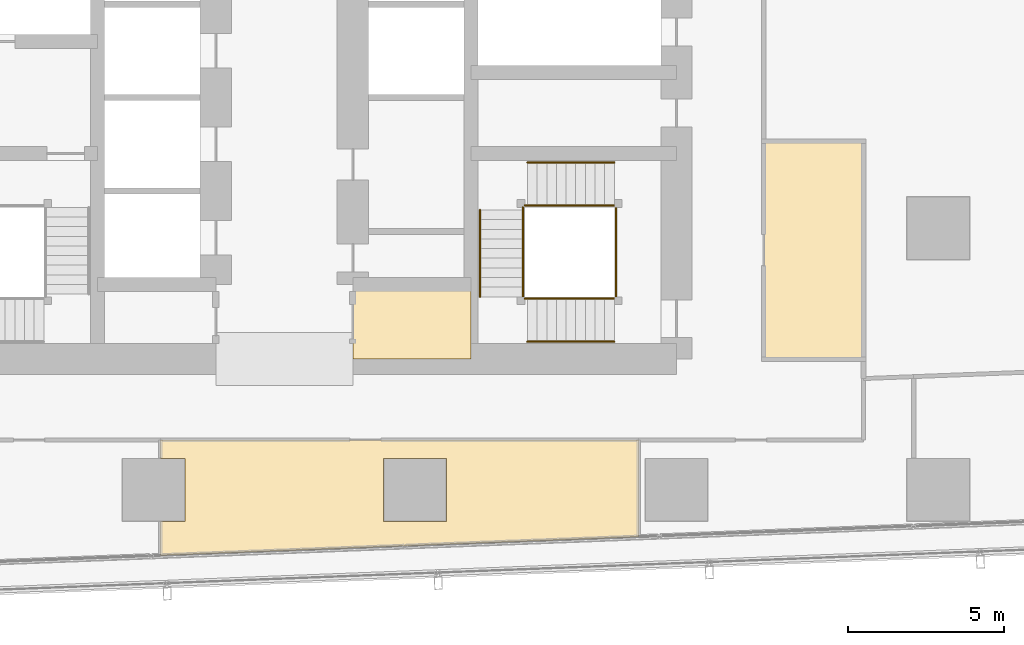
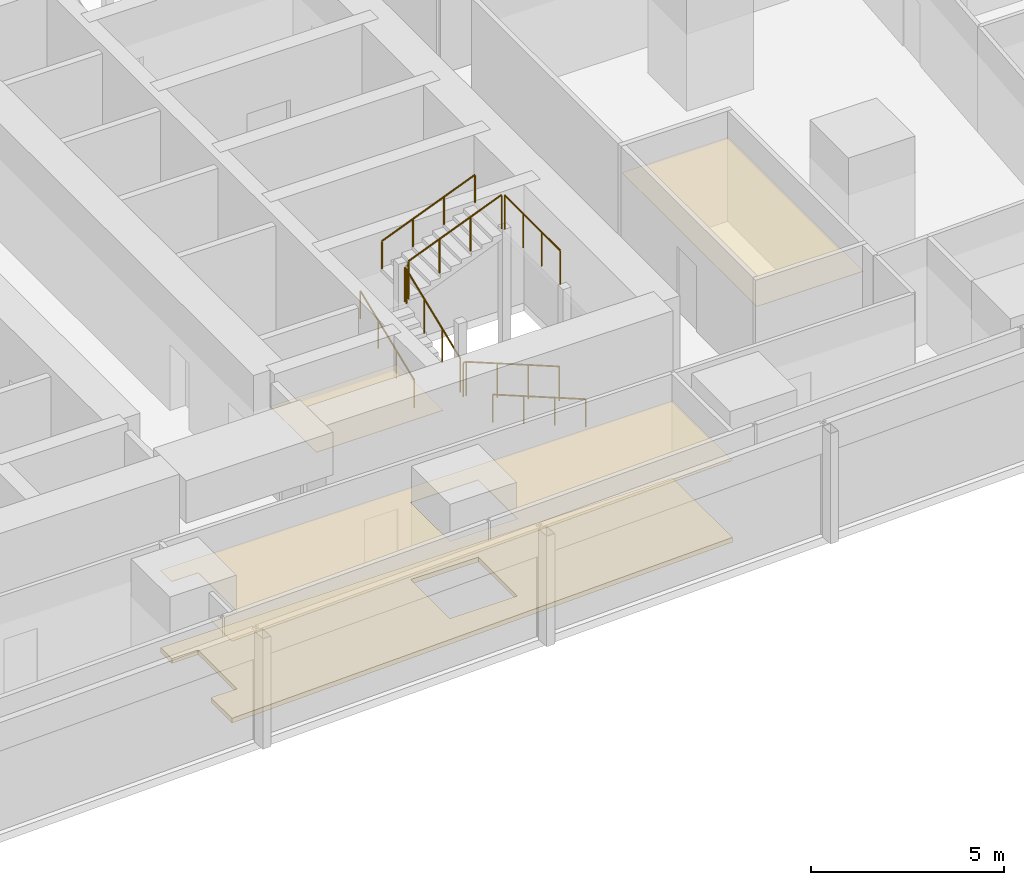
# One storey, part 36 of 39: 10 railings, 4 coverings.
"""IFC4 building model written with IfcOpenShell, lengths in metres."""

from ifc_helpers import new_model, si_unit, direction, frame, origin, origin_2d, place, context, subcontext, project, spatial, polyline, circle, outline, extrude, material, layer, layer_set, type_object, element, save


model = new_model("IFC4")

# Units and contexts
model_context = context("Model", 3, precision=1e-05, world=origin(), true_north=direction((0.0, 1.0)))
body_context = subcontext(model_context, "Body", "Model", "MODEL_VIEW")
ifc_project = project(units=[si_unit("LENGTHUNIT", "METRE"), si_unit("AREAUNIT", "SQUARE_METRE"), si_unit("VOLUMEUNIT", "CUBIC_METRE"), si_unit("PLANEANGLEUNIT", "RADIAN"), si_unit("MASSUNIT", "GRAM", prefix="KILO")], contexts=[model_context])

# Site, building, storey
site_placement = place(None, origin())
site = spatial("IfcSite", under=ifc_project, at=site_placement, CompositionType="ELEMENT")
building_placement = place(site_placement, origin())
building = spatial("IfcBuilding", under=site, at=building_placement, Name="Rekha Terrace Tower", CompositionType="ELEMENT")
storey_placement = place(building_placement, frame((0.0, 0.0, 151.550048828125)))
storey = spatial("IfcBuildingStorey", under=building, at=storey_placement, Name="L38", CompositionType="ELEMENT", Elevation=151.550048828125)

# Coverings
ifc_material_1 = material(Name="Mineral fibre tile in exposed grid", Category="finish")
ifc_layer_1 = layer(ifc_material_1, 0.02001953125)
ifc_layer_set_1 = layer_set([ifc_layer_1], Name="Mineral fibre tile in exposed grid")
covering_type_1 = type_object("IfcCoveringType", Name="CL1 600x1200 office grid ceiling", PredefinedType="CEILING", material=ifc_layer_set_1)
covering_1_placement = place(storey_placement, frame((0.0, 0.0, 2.579833984375)))
element("IfcCovering", 1, at=covering_1_placement, inside=storey, type_object=covering_type_1, Name="Ceiling L38-11", PredefinedType="CEILING", context=body_context, shape_type="SweptSolid", body=[
    extrude(outline(polyline([(34.614990234375, 15.784912109375), (33.825927734375, 15.784912109375), (33.825927734375, 14.69189453125), (40.85302734375, 14.965087890625), (49.178955078125, 15.2890625), (49.178955078125, 18.39990234375), (33.825927734375, 18.39990234375), (33.825927734375, 17.81494140625), (34.614990234375, 17.81494140625), (34.614990234375, 15.784912109375)]), holes=[polyline([(43.014892578125, 17.81494140625), (43.014892578125, 15.784912109375), (40.985107421875, 15.784912109375), (40.985107421875, 17.81494140625), (43.014892578125, 17.81494140625)])]), origin(), (0.0, 0.0, 1.0), 0.02001953125),
])
ifc_material_2 = material(Name="Fibre cement board", Category="finish")
ifc_layer_2 = layer(ifc_material_2, 0.014892578125)
ifc_layer_set_2 = layer_set([ifc_layer_2], Name="Fibre cement board")
covering_type_2 = type_object("IfcCoveringType", Name="CL2 moisture-resistant board ceiling", PredefinedType="CEILING", material=ifc_layer_set_2)
covering_2_placement = place(storey_placement, frame((0.0, 0.0, 2.5849609375)))
element("IfcCovering", 2, at=covering_2_placement, inside=storey, type_object=covering_type_2, Name="Ceiling L38-WCA", PredefinedType="CEILING", context=body_context, shape_type="SweptSolid", body=[
    extrude(outline(polyline([(43.800048828125, 23.39990234375), (40.0, 23.39990234375), (40.0, 21.0), (43.800048828125, 21.0), (43.800048828125, 23.39990234375)])), origin(), (0.0, 0.0, 1.0), 0.014892578125),
])
covering_3_placement = place(storey_placement, frame((0.0, 0.0, 2.5849609375)))
element("IfcCovering", 3, at=covering_3_placement, inside=storey, type_object=covering_type_2, Name="Ceiling L38-WCM2", PredefinedType="CEILING", context=body_context, shape_type="SweptSolid", body=[
    extrude(outline(polyline([(56.39990234375, 28.0), (53.199951171875, 28.0), (53.199951171875, 21.0), (56.39990234375, 21.0), (56.39990234375, 28.0)])), origin(), (0.0, 0.0, 1.0), 0.014892578125),
])

# Railings
ifc_material_3 = material(Name="Stainless steel balustrade", Category="steel")
railing_type_1 = type_object("IfcRailingType", Name="GR1 1100 stair guard", PredefinedType="GUARDRAIL", material=ifc_material_3)
railing_1_placement = place(storey_placement, frame((48.39990234375, 22.93994140625, 0.125)))
element("IfcRailing", 4, at=railing_1_placement, inside=storey, type_object=railing_type_1, Name="Guard ST3 L38 flight 1", PredefinedType="GUARDRAIL", context=body_context, shape_type="SweptSolid", body=[
    extrude(circle(Radius=0.02392578125, at=origin_2d()), frame((0.0, 0.0, 1.076171875), z_axis=(-0.927431937212, 0.0, 0.373991980981), x_axis=(0.0, -1.0, 0.0)), (0.0, 0.0, 1.0), 3.008056640625),
    extrude(circle(Radius=0.02099609375, at=origin_2d()), origin(), (0.0, 0.0, 1.0), 1.052001953125),
    extrude(circle(Radius=0.02099609375, at=origin_2d()), frame((-0.929931640625, 0.0, 0.375)), (0.0, 0.0, 1.0), 1.052001953125),
    extrude(circle(Radius=0.02099609375, at=origin_2d()), frame((-1.85986328125, 0.0, 0.75)), (0.0, 0.0, 1.0), 1.052001953125),
    extrude(circle(Radius=0.02099609375, at=origin_2d()), frame((-2.789794921875, 0.0, 1.125)), (0.0, 0.0, 1.0), 1.052001953125),
])
railing_2_placement = place(storey_placement, frame((45.465087890625, 23.0, 1.375)))
element("IfcRailing", 5, at=railing_2_placement, inside=storey, type_object=railing_type_1, Name="Guard ST3 L38 flight 2", PredefinedType="GUARDRAIL", context=body_context, shape_type="SweptSolid", body=[
    extrude(circle(Radius=0.02392578125, at=origin_2d()), frame((0.0, 0.0, 1.076171875), z_axis=(0.0, 0.927443287984, 0.373963831907), x_axis=(-1.0, 0.0, 0.0)), (0.0, 0.0, 1.0), 3.00830078125),
    extrude(circle(Radius=0.02099609375, at=origin_2d()), origin(), (0.0, 0.0, 1.0), 1.052001953125),
    extrude(circle(Radius=0.02099609375, at=origin_2d()), frame((0.0, 0.929931640625, 0.375)), (0.0, 0.0, 1.0), 1.052001953125),
    extrude(circle(Radius=0.02099609375, at=origin_2d()), frame((0.0, 1.860107421875, 0.75)), (0.0, 0.0, 1.0), 1.052001953125),
    extrude(circle(Radius=0.02099609375, at=origin_2d()), frame((0.0, 2.7900390625, 1.125)), (0.0, 0.0, 1.0), 1.052001953125),
])
railing_3_placement = place(storey_placement, frame((45.610107421875, 25.93505859375, 2.625)))
element("IfcRailing", 6, at=railing_3_placement, inside=storey, type_object=railing_type_1, Name="Guard ST3 L38 flight 3", PredefinedType="GUARDRAIL", context=body_context, shape_type="SweptSolid", body=[
    extrude(circle(Radius=0.02392578125, at=origin_2d()), frame((0.0, 0.0, 1.076171875), z_axis=(0.927431937212, 0.0, 0.373991980981), x_axis=(0.0, 1.0, 0.0)), (0.0, 0.0, 1.0), 3.008056640625),
    extrude(circle(Radius=0.02099609375, at=origin_2d()), origin(), (0.0, 0.0, 1.0), 1.052001953125),
    extrude(circle(Radius=0.02099609375, at=origin_2d()), frame((0.929931640625, 0.0, 0.375)), (0.0, 0.0, 1.0), 1.052001953125),
    extrude(circle(Radius=0.02099609375, at=origin_2d()), frame((1.85986328125, 0.0, 0.75)), (0.0, 0.0, 1.0), 1.052001953125),
    extrude(circle(Radius=0.02099609375, at=origin_2d()), frame((2.789794921875, 0.0, 1.125)), (0.0, 0.0, 1.0), 1.052001953125),
])
railing_4_placement = place(storey_placement, frame((45.610107421875, 22.93994140625, 1.25)))
element("IfcRailing", 7, at=railing_4_placement, inside=storey, type_object=railing_type_1, Name="Guard ST3 L38 landing 1", PredefinedType="GUARDRAIL", context=body_context, shape_type="SweptSolid", body=[
    extrude(circle(Radius=0.02392578125, at=origin_2d()), frame((0.0, 0.0, 1.076171875), z_axis=(-1.0, 0.0, 0.0), x_axis=(0.0, -1.0, 0.0)), (0.0, 0.0, 1.0), 0.085205078125),
    extrude(circle(Radius=0.02099609375, at=origin_2d()), origin(), (0.0, 0.0, 1.0), 1.052001953125),
    extrude(circle(Radius=0.02099609375, at=origin_2d()), frame((-0.085205078125, 0.0, 0.0)), (0.0, 0.0, 1.0), 1.052001953125),
])
railing_5_placement = place(storey_placement, frame((45.465087890625, 25.7900390625, 2.5)))
element("IfcRailing", 8, at=railing_5_placement, inside=storey, type_object=railing_type_1, Name="Guard ST3 L38 landing 2", PredefinedType="GUARDRAIL", context=body_context, shape_type="SweptSolid", body=[
    extrude(circle(Radius=0.02392578125, at=origin_2d()), frame((0.0, 0.0, 1.076171875), z_axis=(0.0, 1.0, 0.0), x_axis=(-1.0, 0.0, 0.0)), (0.0, 0.0, 1.0), 0.0849609375),
    extrude(circle(Radius=0.02099609375, at=origin_2d()), origin(), (0.0, 0.0, 1.0), 1.052001953125),
    extrude(circle(Radius=0.02099609375, at=origin_2d()), frame((0.0, 0.0849609375, 0.0)), (0.0, 0.0, 1.0), 1.052001953125),
])
railing_6_placement = place(storey_placement, frame((45.610107421875, 25.93505859375, 2.5)))
element("IfcRailing", 9, at=railing_6_placement, inside=storey, type_object=railing_type_1, Name="Guard ST3 L38 landing 3", PredefinedType="GUARDRAIL", context=body_context, shape_type="SweptSolid", body=[
    extrude(circle(Radius=0.02392578125, at=origin_2d()), frame((0.0, 0.0, 1.076171875), z_axis=(-1.0, 0.0, 0.0), x_axis=(0.0, -1.0, 0.0)), (0.0, 0.0, 1.0), 0.085205078125),
    extrude(circle(Radius=0.02099609375, at=origin_2d()), origin(), (0.0, 0.0, 1.0), 1.052001953125),
    extrude(circle(Radius=0.02099609375, at=origin_2d()), frame((-0.085205078125, 0.0, 0.0)), (0.0, 0.0, 1.0), 1.052001953125),
])
railing_7_placement = place(storey_placement, frame((48.4599609375, 23.0, 3.75)))
element("IfcRailing", 10, at=railing_7_placement, inside=storey, type_object=railing_type_1, Name="Guard ST3 L38 landing 4", PredefinedType="GUARDRAIL", context=body_context, shape_type="SweptSolid", body=[
    extrude(circle(Radius=0.02392578125, at=origin_2d()), frame((0.0, 0.0, 1.076171875), z_axis=(0.0, 1.0, 0.0), x_axis=(-1.0, 0.0, 0.0)), (0.0, 0.0, 1.0), 2.875),
    extrude(circle(Radius=0.02099609375, at=origin_2d()), origin(), (0.0, 0.0, 1.0), 1.052001953125),
    extrude(circle(Radius=0.02099609375, at=origin_2d()), frame((0.0, 0.958251953125, 0.0)), (0.0, 0.0, 1.0), 1.052001953125),
    extrude(circle(Radius=0.02099609375, at=origin_2d()), frame((0.0, 1.916748046875, 0.0)), (0.0, 0.0, 1.0), 1.052001953125),
    extrude(circle(Radius=0.02099609375, at=origin_2d()), frame((0.0, 2.875, 0.0)), (0.0, 0.0, 1.0), 1.052001953125),
])
ifc_material_4 = material(Name="Stainless steel tube", Category="steel")
railing_type_2 = type_object("IfcRailingType", Name="HR1 900 stair handrail", PredefinedType="HANDRAIL", material=ifc_material_4)
railing_8_placement = place(storey_placement, frame((48.39990234375, 21.56005859375, 0.125)))
element("IfcRailing", 11, at=railing_8_placement, inside=storey, type_object=railing_type_2, Name="Handrail ST3 L38 flight 1", PredefinedType="HANDRAIL", context=body_context, shape_type="SweptSolid", body=[
    extrude(circle(Radius=0.02392578125, at=origin_2d()), frame((0.0, 0.0, 0.8759765625), z_axis=(-0.927431937212, 0.0, 0.373991980981), x_axis=(0.0, -1.0, 0.0)), (0.0, 0.0, 1.0), 3.008056640625),
    extrude(circle(Radius=0.02099609375, at=origin_2d()), origin(), (0.0, 0.0, 1.0), 0.851806640625),
    extrude(circle(Radius=0.02099609375, at=origin_2d()), frame((-0.929931640625, 0.0, 0.375)), (0.0, 0.0, 1.0), 0.851806640625),
    extrude(circle(Radius=0.02099609375, at=origin_2d()), frame((-1.85986328125, 0.0, 0.75)), (0.0, 0.0, 1.0), 0.851806640625),
    extrude(circle(Radius=0.02099609375, at=origin_2d()), frame((-2.789794921875, 0.0, 1.125)), (0.0, 0.0, 1.0), 0.851806640625),
])
railing_9_placement = place(storey_placement, frame((44.0849609375, 23.0, 1.375)))
element("IfcRailing", 12, at=railing_9_placement, inside=storey, type_object=railing_type_2, Name="Handrail ST3 L38 flight 2", PredefinedType="HANDRAIL", context=body_context, shape_type="SweptSolid", body=[
    extrude(circle(Radius=0.02392578125, at=origin_2d()), frame((0.0, 0.0, 0.8759765625), z_axis=(0.0, 0.927443287984, 0.373963831907), x_axis=(-1.0, 0.0, 0.0)), (0.0, 0.0, 1.0), 3.00830078125),
    extrude(circle(Radius=0.02099609375, at=origin_2d()), origin(), (0.0, 0.0, 1.0), 0.851806640625),
    extrude(circle(Radius=0.02099609375, at=origin_2d()), frame((0.0, 0.929931640625, 0.375)), (0.0, 0.0, 1.0), 0.851806640625),
    extrude(circle(Radius=0.02099609375, at=origin_2d()), frame((0.0, 1.860107421875, 0.75)), (0.0, 0.0, 1.0), 0.851806640625),
    extrude(circle(Radius=0.02099609375, at=origin_2d()), frame((0.0, 2.7900390625, 1.125)), (0.0, 0.0, 1.0), 0.851806640625),
])
railing_10_placement = place(storey_placement, frame((45.610107421875, 27.31494140625, 2.625)))
element("IfcRailing", 13, at=railing_10_placement, inside=storey, type_object=railing_type_2, Name="Handrail ST3 L38 flight 3", PredefinedType="HANDRAIL", context=body_context, shape_type="SweptSolid", body=[
    extrude(circle(Radius=0.02392578125, at=origin_2d()), frame((0.0, 0.0, 0.8759765625), z_axis=(0.927431937212, 0.0, 0.373991980981), x_axis=(0.0, 1.0, 0.0)), (0.0, 0.0, 1.0), 3.008056640625),
    extrude(circle(Radius=0.02099609375, at=origin_2d()), origin(), (0.0, 0.0, 1.0), 0.851806640625),
    extrude(circle(Radius=0.02099609375, at=origin_2d()), frame((0.929931640625, 0.0, 0.375)), (0.0, 0.0, 1.0), 0.851806640625),
    extrude(circle(Radius=0.02099609375, at=origin_2d()), frame((1.85986328125, 0.0, 0.75)), (0.0, 0.0, 1.0), 0.851806640625),
    extrude(circle(Radius=0.02099609375, at=origin_2d()), frame((2.789794921875, 0.0, 1.125)), (0.0, 0.0, 1.0), 0.851806640625),
])

# Covering
ifc_material_5 = material(Name="Calcium sulphate panels on steel pedestals", Category="steel")
ifc_layer_3 = layer(ifc_material_5, 0.14990234375)
ifc_layer_set_3 = layer_set([ifc_layer_3], Name="Calcium sulphate panels on steel pedestals")
covering_type_3 = type_object("IfcCoveringType", Name="RF1 150 raised access floor", PredefinedType="FLOORING", material=ifc_layer_set_3)
covering_4_placement = place(storey_placement, origin())
element("IfcCovering", 14, at=covering_4_placement, inside=storey, type_object=covering_type_3, Name="Raised floor L38-11", PredefinedType="FLOORING", context=body_context, shape_type="SweptSolid", body=[
    extrude(outline(polyline([(34.614990234375, 15.784912109375), (33.825927734375, 15.784912109375), (33.825927734375, 14.69189453125), (40.85302734375, 14.965087890625), (49.178955078125, 15.2890625), (49.178955078125, 18.39990234375), (33.825927734375, 18.39990234375), (33.825927734375, 17.81494140625), (34.614990234375, 17.81494140625), (34.614990234375, 15.784912109375)]), holes=[polyline([(43.014892578125, 17.81494140625), (43.014892578125, 15.784912109375), (40.985107421875, 15.784912109375), (40.985107421875, 17.81494140625), (43.014892578125, 17.81494140625)])]), origin(), (0.0, 0.0, 1.0), 0.14990234375),
])

save(model, "model.ifc")
